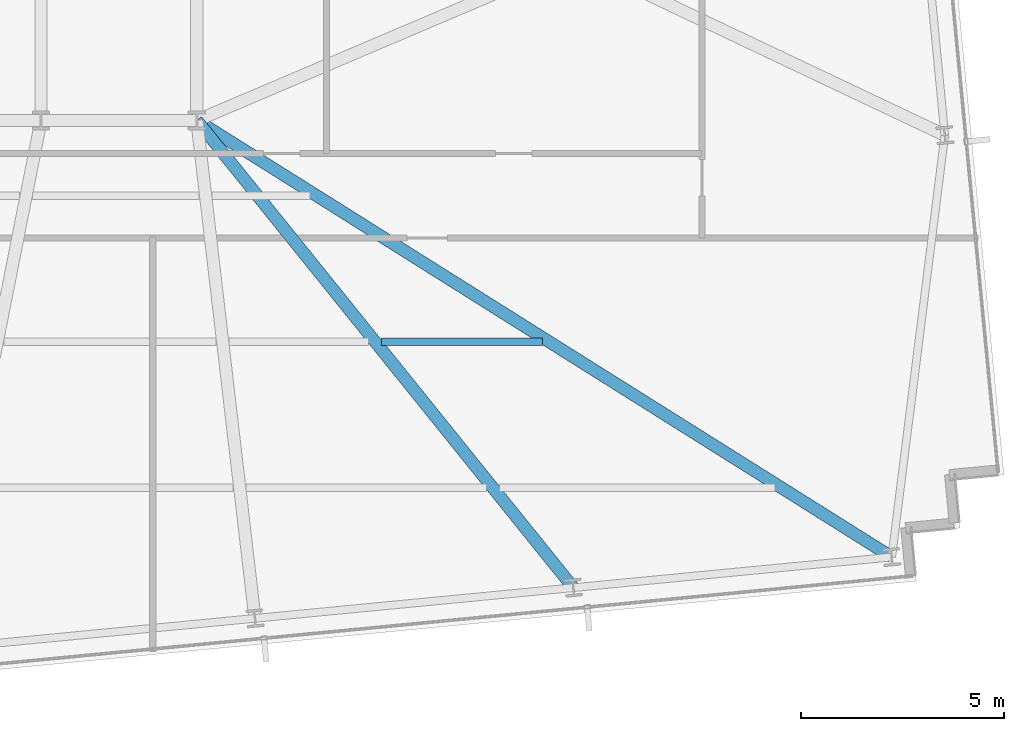
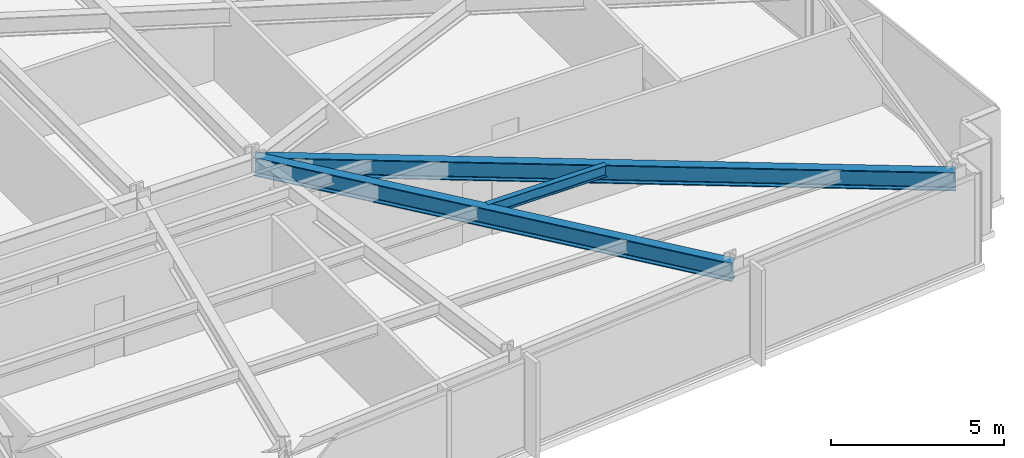
# One storey, part 13 of 32: 3 beams.
"""IFC4 building model written with IfcOpenShell, lengths in metres."""

from ifc_helpers import new_model, si_unit, direction, frame, origin, origin_2d, place, context, subcontext, project, spatial, i_section, extrude, material, material_profile, profile_set, type_object, element, save


model = new_model("IFC4")

# Units and contexts
model_context = context("Model", 3, precision=1e-05, world=origin(), true_north=direction((0.0, 1.0)))
body_context = subcontext(model_context, "Body", "Model", "MODEL_VIEW")
ifc_project = project(units=[si_unit("LENGTHUNIT", "METRE"), si_unit("AREAUNIT", "SQUARE_METRE"), si_unit("VOLUMEUNIT", "CUBIC_METRE"), si_unit("PLANEANGLEUNIT", "RADIAN"), si_unit("MASSUNIT", "GRAM", prefix="KILO")], contexts=[model_context])

# Site, building, storey
site_placement = place(None, origin())
site = spatial("IfcSite", under=ifc_project, at=site_placement, CompositionType="ELEMENT")
building_placement = place(site_placement, origin())
building = spatial("IfcBuilding", under=site, at=building_placement, Name="Yelkora Congress Tower", CompositionType="ELEMENT")
storey_placement = place(building_placement, frame((0.0, 0.0, 96.5)))
storey = spatial("IfcBuildingStorey", under=building, at=storey_placement, Name="L25", CompositionType="ELEMENT", Elevation=96.5)

# Beams
ifc_material = material(Name="Steel S355J2", Category="steel")
ifc_material_profile_1 = material_profile(ifc_material, i_section(OverallWidth=0.300048828125, OverallDepth=0.64990234375, WebThickness=0.01611328125, FlangeThickness=0.031005859375, FilletRadius=0.027099609375, at=origin_2d()), Name="HEB 650")
ifc_profile_set_1 = profile_set([ifc_material_profile_1], Name="Steel S355J2")
beam_type_1 = type_object("IfcBeamType", Name="BM-GIRD-HEB650", PredefinedType="BEAM", material=ifc_profile_set_1)
beam_1_placement = place(storey_placement, frame((66.882568359375, 13.67919921875, 2.85498046875), z_axis=(-0.627405981031, 0.778692323686, 0.0), x_axis=(-0.778692323686, -0.627405981031, 0.0)))
element("IfcBeam", 1, at=beam_1_placement, inside=storey, type_object=beam_type_1, Name="L25 Primary Frame Girder S07", PredefinedType="BEAM", context=body_context, shape_type="SweptSolid", body=[
    extrude(i_section(OverallWidth=0.300048828125, OverallDepth=0.64990234375, WebThickness=0.01611328125, FlangeThickness=0.031005859375, FilletRadius=0.027099609375, at=origin_2d()), origin(), (0.0, 0.0, 1.0), 14.794921875),
])
beam_2_placement = place(storey_placement, frame((74.73193359375, 14.43505859375, 2.85498046875), z_axis=(-0.846718708798, 0.532040814385, 0.0), x_axis=(-0.532040814385, -0.846718708798, 0.0)))
element("IfcBeam", 2, at=beam_2_placement, inside=storey, type_object=beam_type_1, Name="L25 Primary Frame Girder S08", PredefinedType="BEAM", context=body_context, shape_type="SweptSolid", body=[
    extrude(i_section(OverallWidth=0.300048828125, OverallDepth=0.64990234375, WebThickness=0.01611328125, FlangeThickness=0.031005859375, FilletRadius=0.027099609375, at=origin_2d()), origin(), (0.0, 0.0, 1.0), 20.233154296875),
])
ifc_material_profile_2 = material_profile(ifc_material, i_section(OverallWidth=0.179931640625, OverallDepth=0.39990234375, WebThickness=0.008544921875, FlangeThickness=0.013427734375, FilletRadius=0.02099609375, at=origin_2d()), Name="IPE 400")
ifc_profile_set_2 = profile_set([ifc_material_profile_2], Name="Steel S355J2")
beam_type_2 = type_object("IfcBeamType", Name="BM-JOIST-IPE400", PredefinedType="JOIST", material=ifc_profile_set_2)
beam_3_placement = place(storey_placement, frame((62.15576171875, 19.744384765625, 2.97998046875), z_axis=(1.0, 0.0, 0.0), x_axis=(0.0, 1.0, 0.0)))
element("IfcBeam", 3, at=beam_3_placement, inside=storey, type_object=beam_type_2, Name="L25 Composite Floor Joist 17", PredefinedType="JOIST", context=body_context, shape_type="SweptSolid", body=[
    extrude(i_section(OverallWidth=0.179931640625, OverallDepth=0.39990234375, WebThickness=0.008544921875, FlangeThickness=0.013427734375, FilletRadius=0.02099609375, at=origin_2d()), origin(), (0.0, 0.0, 1.0), 3.966552734375),
])

save(model, "model.ifc")
